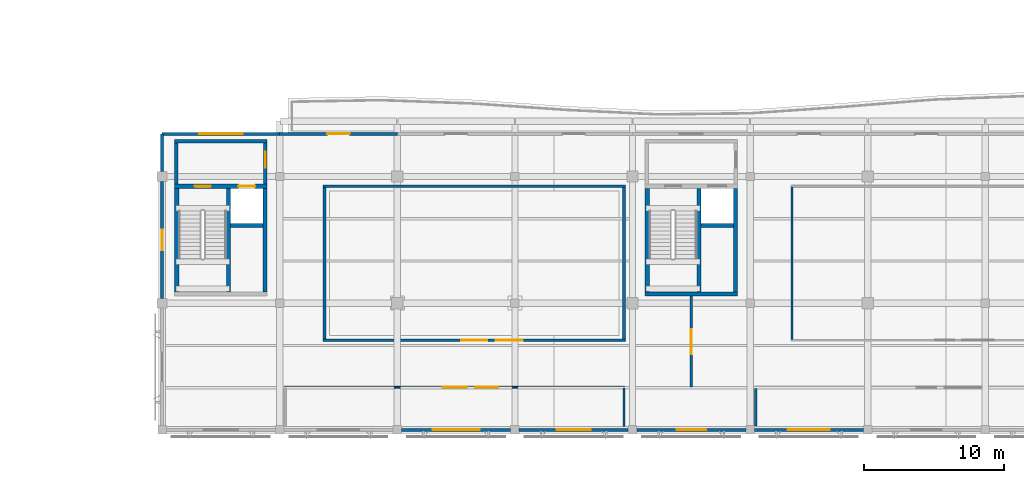
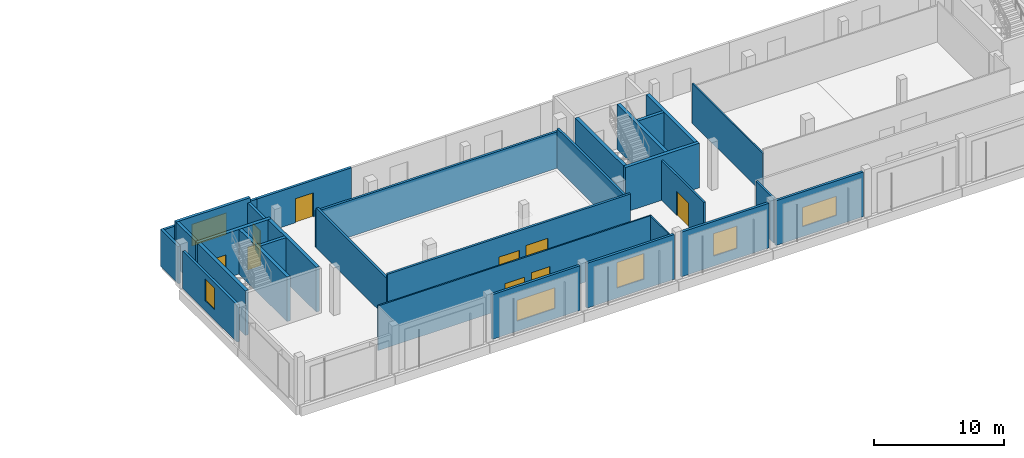
# One storey, part 15 of 28: 30 walls, 8 windows, 7 doors, 15 openings.
"""IFC4 building model written with IfcOpenShell, lengths in metres."""

from ifc_helpers import new_model, si_unit, direction, frame, frame_2d, origin, place, context, subcontext, project, spatial, rectangle, extrude, material, layer, layer_set, type_object, element, fill, save


model = new_model("IFC4")

# Units and contexts
model_context = context("Model", 3, precision=1e-05, world=origin(), true_north=direction((0.0, 1.0)))
body_context = subcontext(model_context, "Body", "Model", "MODEL_VIEW")
ifc_project = project(units=[si_unit("LENGTHUNIT", "METRE"), si_unit("AREAUNIT", "SQUARE_METRE"), si_unit("VOLUMEUNIT", "CUBIC_METRE"), si_unit("PLANEANGLEUNIT", "RADIAN"), si_unit("MASSUNIT", "GRAM", prefix="KILO")], contexts=[model_context])

# Site, building, storey
site_placement = place(None, origin())
site = spatial("IfcSite", under=ifc_project, at=site_placement, CompositionType="ELEMENT")
building_placement = place(site_placement, origin())
building = spatial("IfcBuilding", under=site, at=building_placement, Name="Khurvash Pelagic Aquarium", CompositionType="ELEMENT")
storey_placement = place(building_placement, frame((0.0, 0.0, 20.10009765625)))
storey = spatial("IfcBuildingStorey", under=building, at=storey_placement, Name="L04", CompositionType="ELEMENT", Elevation=20.10009765625)

# Wall, opening, window
ifc_material_1 = material(Name="Glass-fibre reinforced concrete C40/50", Category="concrete")
ifc_layer_1 = layer(ifc_material_1, 0.219970703125)
ifc_layer_set_1 = layer_set([ifc_layer_1], Name="Glass-fibre reinforced concrete C40/50")
wall_type_1 = type_object("IfcWallType", Name="EW-220", PredefinedType="STANDARD", material=ifc_layer_set_1)
wall_1_placement = place(storey_placement, frame((42.304931640625, 2.60009765625, 0.0), z_axis=(0.0, 0.0, 1.0), x_axis=(1.0, 0.0, 0.0)))
wall_1 = element("IfcWall", 1, at=wall_1_placement, inside=storey, type_object=wall_type_1, Name="L04 Exterior Architectural Facade Wall EW-220 0165", PredefinedType="STANDARD", context=body_context, shape_type="SweptSolid", body=[
    extrude(rectangle(XDim=7.7900390625, YDim=0.219970703125, at=frame_2d((3.89501953125, 0.0))), origin(), (0.0, 0.0, 1.0), 4.199951171875),
])
opening_1_placement = place(wall_1_placement, frame((2.215087890625, 0.0, 0.949951171875)))
opening_1 = element("IfcOpeningElement", 2, at=opening_1_placement, cuts=wall_1, Name="Opening WN-42", PredefinedType="OPENING", context=body_context, shape_type="SweptSolid", body=[
    extrude(rectangle(XDim=3.360107421875, YDim=1.9599609375, at=frame_2d((1.68017578125, 0.97998046875))), frame((0.0, 0.1201171875, 0.0), z_axis=(0.0, -1.0, 0.0), x_axis=(1.0, 0.0, 0.0)), (0.0, 0.0, 1.0), 0.239990234375),
])
ifc_material_2 = material(Name="Thermally broken aluminium and low-E glass", Category="aluminium")
window_type_1 = type_object("IfcWindowType", Name="WN-42", PartitioningType="SINGLE_PANEL", PredefinedType="WINDOW", material=ifc_material_2)
window_1_placement = place(opening_1_placement, origin())
window_1 = element("IfcWindow", 3, at=window_1_placement, inside=storey, type_object=window_type_1, Name="L04 Facade Window WN-42 0110", OverallHeight=1.9599609375, OverallWidth=3.360107421875, PartitioningType="SINGLE_PANEL", PredefinedType="WINDOW", context=body_context, shape_type="SweptSolid", body=[
    extrude(rectangle(XDim=3.360107421875, YDim=1.9599609375, at=frame_2d((1.68017578125, 0.97998046875))), frame((0.0, 0.030029296875, 0.0), z_axis=(0.0, -1.0, 0.0), x_axis=(1.0, 0.0, 0.0)), (0.0, 0.0, 1.0), 0.06005859375),
])
fill(opening_1, window_1)

wall_2_placement = place(storey_placement, frame((50.705078125, 2.60009765625, 0.0), z_axis=(0.0, 0.0, 1.0), x_axis=(1.0, 0.0, 0.0)))
wall_2 = element("IfcWall", 4, at=wall_2_placement, inside=storey, type_object=wall_type_1, Name="L04 Exterior Architectural Facade Wall EW-220 0166", PredefinedType="STANDARD", context=body_context, shape_type="SweptSolid", body=[
    extrude(rectangle(XDim=7.7900390625, YDim=0.219970703125, at=frame_2d((3.89501953125, 0.0))), origin(), (0.0, 0.0, 1.0), 4.199951171875),
])
opening_2_placement = place(wall_2_placement, frame((2.695068359375, 0.0, 0.949951171875)))
opening_2 = element("IfcOpeningElement", 5, at=opening_2_placement, cuts=wall_2, Name="Opening WN-02", PredefinedType="OPENING", context=body_context, shape_type="SweptSolid", body=[
    extrude(rectangle(XDim=2.39990234375, YDim=2.39990234375, at=frame_2d((1.199951171875, 1.199951171875))), frame((0.0, 0.1201171875, 0.0), z_axis=(0.0, -1.0, 0.0), x_axis=(1.0, 0.0, 0.0)), (0.0, 0.0, 1.0), 0.239990234375),
])
window_type_2 = type_object("IfcWindowType", Name="WN-02", PartitioningType="SINGLE_PANEL", PredefinedType="WINDOW", material=ifc_material_2)
window_2_placement = place(opening_2_placement, origin())
window_2 = element("IfcWindow", 6, at=window_2_placement, inside=storey, type_object=window_type_2, Name="L04 Facade Window WN-02 0111", OverallHeight=2.39990234375, OverallWidth=2.39990234375, PartitioningType="SINGLE_PANEL", PredefinedType="WINDOW", context=body_context, shape_type="SweptSolid", body=[
    extrude(rectangle(XDim=2.39990234375, YDim=2.39990234375, at=frame_2d((1.199951171875, 1.199951171875))), frame((0.0, 0.030029296875, 0.0), z_axis=(0.0, -1.0, 0.0), x_axis=(1.0, 0.0, 0.0)), (0.0, 0.0, 1.0), 0.06005859375),
])
fill(opening_2, window_2)

wall_3_placement = place(storey_placement, frame((59.10498046875, 2.60009765625, 0.0), z_axis=(0.0, 0.0, 1.0), x_axis=(1.0, 0.0, 0.0)))
wall_3 = element("IfcWall", 7, at=wall_3_placement, inside=storey, type_object=wall_type_1, Name="L04 Exterior Architectural Facade Wall EW-220 0167", PredefinedType="STANDARD", context=body_context, shape_type="SweptSolid", body=[
    extrude(rectangle(XDim=7.7900390625, YDim=0.219970703125, at=frame_2d((3.89501953125, 0.0))), origin(), (0.0, 0.0, 1.0), 4.199951171875),
])
opening_3_placement = place(wall_3_placement, frame((2.844970703125, 0.0, 0.949951171875)))
opening_3 = element("IfcOpeningElement", 8, at=opening_3_placement, cuts=wall_3, Name="Opening WN-04", PredefinedType="OPENING", context=body_context, shape_type="SweptSolid", body=[
    extrude(rectangle(XDim=2.10009765625, YDim=2.10009765625, at=frame_2d((1.050048828125, 1.050048828125))), frame((0.0, 0.1201171875, 0.0), z_axis=(0.0, -1.0, 0.0), x_axis=(1.0, 0.0, 0.0)), (0.0, 0.0, 1.0), 0.239990234375),
])
window_type_3 = type_object("IfcWindowType", Name="WN-04", PartitioningType="SINGLE_PANEL", PredefinedType="WINDOW", material=ifc_material_2)
window_3_placement = place(opening_3_placement, origin())
window_3 = element("IfcWindow", 9, at=window_3_placement, inside=storey, type_object=window_type_3, Name="L04 Facade Window WN-04 0112", OverallHeight=2.10009765625, OverallWidth=2.10009765625, PartitioningType="SINGLE_PANEL", PredefinedType="WINDOW", context=body_context, shape_type="SweptSolid", body=[
    extrude(rectangle(XDim=2.10009765625, YDim=2.10009765625, at=frame_2d((1.050048828125, 1.050048828125))), frame((0.0, 0.030029296875, 0.0), z_axis=(0.0, -1.0, 0.0), x_axis=(1.0, 0.0, 0.0)), (0.0, 0.0, 1.0), 0.06005859375),
])
fill(opening_3, window_3)

wall_4_placement = place(storey_placement, frame((67.5048828125, 2.60009765625, 0.0), z_axis=(0.0, 0.0, 1.0), x_axis=(1.0, 0.0, 0.0)))
wall_4 = element("IfcWall", 10, at=wall_4_placement, inside=storey, type_object=wall_type_1, Name="L04 Exterior Architectural Facade Wall EW-220 0168", PredefinedType="STANDARD", context=body_context, shape_type="SweptSolid", body=[
    extrude(rectangle(XDim=7.7900390625, YDim=0.219970703125, at=frame_2d((3.89501953125, 0.0))), origin(), (0.0, 0.0, 1.0), 4.199951171875),
])
opening_4_placement = place(wall_4_placement, frame((2.39501953125, 0.0, 0.949951171875)))
opening_4 = element("IfcOpeningElement", 11, at=opening_4_placement, cuts=wall_4, Name="Opening WN-06", PredefinedType="OPENING", context=body_context, shape_type="SweptSolid", body=[
    extrude(rectangle(XDim=3.0, YDim=1.800048828125, at=frame_2d((1.5, 0.89990234375))), frame((0.0, 0.1201171875, 0.0), z_axis=(0.0, -1.0, 0.0), x_axis=(1.0, 0.0, 0.0)), (0.0, 0.0, 1.0), 0.239990234375),
])
window_type_4 = type_object("IfcWindowType", Name="WN-06", PartitioningType="SINGLE_PANEL", PredefinedType="WINDOW", material=ifc_material_2)
window_4_placement = place(opening_4_placement, origin())
window_4 = element("IfcWindow", 12, at=window_4_placement, inside=storey, type_object=window_type_4, Name="L04 Facade Window WN-06 0113", OverallHeight=1.800048828125, OverallWidth=3.0, PartitioningType="SINGLE_PANEL", PredefinedType="WINDOW", context=body_context, shape_type="SweptSolid", body=[
    extrude(rectangle(XDim=3.0, YDim=1.800048828125, at=frame_2d((1.5, 0.89990234375))), frame((0.0, 0.030029296875, 0.0), z_axis=(0.0, -1.0, 0.0), x_axis=(1.0, 0.0, 0.0)), (0.0, 0.0, 1.0), 0.06005859375),
])
fill(opening_4, window_4)

# Wall, opening, door
wall_5_placement = place(storey_placement, frame((42.0, 23.75, 0.0), z_axis=(0.0, 0.0, 1.0), x_axis=(-1.0, 0.0, 0.0)))
wall_5 = element("IfcWall", 13, at=wall_5_placement, inside=storey, type_object=wall_type_1, Name="L04 Exterior Architectural Facade Wall EW-220 0184", PredefinedType="STANDARD", context=body_context, shape_type="SweptSolid", body=[
    extrude(rectangle(XDim=8.39990234375, YDim=0.219970703125, at=frame_2d((4.199951171875, 0.0))), origin(), (0.0, 0.0, 1.0), 3.427978515625),
])
opening_5_placement = place(wall_5_placement, frame((3.39990234375, 0.0, 0.0)))
opening_5 = element("IfcOpeningElement", 14, at=opening_5_placement, cuts=wall_5, Name="Opening ED-03", PredefinedType="OPENING", context=body_context, shape_type="SweptSolid", body=[
    extrude(rectangle(XDim=1.60009765625, YDim=2.25, at=frame_2d((0.800048828125, 1.125))), frame((0.0, 0.1201171875, 0.0), z_axis=(0.0, -1.0, 0.0), x_axis=(1.0, 0.0, 0.0)), (0.0, 0.0, 1.0), 0.239990234375),
])
ifc_material_3 = material(Name="Thermally broken glazed aluminium", Category="aluminium")
door_type_1 = type_object("IfcDoorType", Name="ED-03", OperationType="DOUBLE_DOOR_SINGLE_SWING", PredefinedType="DOOR", material=ifc_material_3)
door_1_placement = place(opening_5_placement, frame((1.60009765625, 0.0, 0.0), z_axis=(0.0, 0.0, 1.0), x_axis=(-1.0, 0.0, 0.0)))
door_1 = element("IfcDoor", 15, at=door_1_placement, inside=storey, type_object=door_type_1, Name="DR-0226", OperationType="DOUBLE_DOOR_SINGLE_SWING", OverallHeight=2.25, OverallWidth=1.60009765625, PredefinedType="DOOR", context=body_context, shape_type="SweptSolid", body=[
    extrude(rectangle(XDim=1.60009765625, YDim=2.25, at=frame_2d((0.800048828125, 1.125))), frame((0.0, 0.02490234375, 0.0), z_axis=(0.0, -1.0, 0.0), x_axis=(1.0, 0.0, 0.0)), (0.0, 0.0, 1.0), 0.050048828125),
])
fill(opening_5, door_1)

# Wall, opening, window
wall_6_placement = place(storey_placement, frame((33.60009765625, 23.75, 0.0), z_axis=(0.0, 0.0, 1.0), x_axis=(-1.0, 0.0, 0.0)))
wall_6 = element("IfcWall", 16, at=wall_6_placement, inside=storey, type_object=wall_type_1, Name="L04 Exterior Architectural Facade Wall EW-220 0185", PredefinedType="STANDARD", context=body_context, shape_type="SweptSolid", body=[
    extrude(rectangle(XDim=8.400146484375, YDim=0.219970703125, at=frame_2d((4.2001953125, 0.0))), origin(), (0.0, 0.0, 1.0), 3.427978515625),
])
opening_6_placement = place(wall_6_placement, frame((2.64990234375, 0.0, 0.949951171875)))
opening_6 = element("IfcOpeningElement", 17, at=opening_6_placement, cuts=wall_6, Name="Opening WN-27", PredefinedType="OPENING", context=body_context, shape_type="SweptSolid", body=[
    extrude(rectangle(XDim=3.10009765625, YDim=2.050048828125, at=frame_2d((1.550048828125, 1.02490234375))), frame((0.0, 0.1201171875, 0.0), z_axis=(0.0, -1.0, 0.0), x_axis=(1.0, 0.0, 0.0)), (0.0, 0.0, 1.0), 0.239990234375),
])
window_type_5 = type_object("IfcWindowType", Name="WN-27", PartitioningType="SINGLE_PANEL", PredefinedType="WINDOW", material=ifc_material_2)
window_5_placement = place(opening_6_placement, origin())
window_5 = element("IfcWindow", 18, at=window_5_placement, inside=storey, type_object=window_type_5, Name="L04 Facade Window WN-27 0122", OverallHeight=2.050048828125, OverallWidth=3.10009765625, PartitioningType="SINGLE_PANEL", PredefinedType="WINDOW", context=body_context, shape_type="SweptSolid", body=[
    extrude(rectangle(XDim=3.10009765625, YDim=2.050048828125, at=frame_2d((1.550048828125, 1.02490234375))), frame((0.0, 0.030029296875, 0.0), z_axis=(0.0, -1.0, 0.0), x_axis=(1.0, 0.0, 0.0)), (0.0, 0.0, 1.0), 0.06005859375),
])
fill(opening_6, window_5)

# Wall
wall_7_placement = place(storey_placement, frame((25.199951171875, 23.75, 0.0), z_axis=(0.0, 0.0, 1.0), x_axis=(0.0, -1.0, 0.0)))
element("IfcWall", 19, at=wall_7_placement, inside=storey, type_object=wall_type_1, Name="L04 Exterior Architectural Facade Wall EW-220 0186", PredefinedType="STANDARD", context=body_context, shape_type="SweptSolid", body=[
    extrude(rectangle(XDim=2.695068359375, YDim=0.219970703125, at=frame_2d((1.34765625, 0.0))), origin(), (0.0, 0.0, 1.0), 3.50390625),
])

# Wall, opening, window
wall_8_placement = place(storey_placement, frame((25.199951171875, 20.344970703125, 0.0), z_axis=(0.0, 0.0, 1.0), x_axis=(0.0, -1.0, 0.0)))
wall_8 = element("IfcWall", 20, at=wall_8_placement, inside=storey, type_object=wall_type_1, Name="L04 Exterior Architectural Facade Wall EW-220 0187", PredefinedType="STANDARD", context=body_context, shape_type="SweptSolid", body=[
    extrude(rectangle(XDim=8.340087890625, YDim=0.219970703125, at=frame_2d((4.169921875, 0.0))), origin(), (0.0, 0.0, 1.0), 3.50390625),
])
opening_7_placement = place(wall_8_placement, frame((3.445068359375, 0.0, 0.949951171875)))
opening_7 = element("IfcOpeningElement", 21, at=opening_7_placement, cuts=wall_8, Name="Opening WN-21", PredefinedType="OPENING", context=body_context, shape_type="SweptSolid", body=[
    extrude(rectangle(XDim=1.449951171875, YDim=2.050048828125, at=frame_2d((0.72509765625, 1.02490234375))), frame((0.0, 0.1201171875, 0.0), z_axis=(0.0, -1.0, 0.0), x_axis=(1.0, 0.0, 0.0)), (0.0, 0.0, 1.0), 0.239990234375),
])
window_type_6 = type_object("IfcWindowType", Name="WN-21", PartitioningType="SINGLE_PANEL", PredefinedType="WINDOW", material=ifc_material_2)
window_6_placement = place(opening_7_placement, origin())
window_6 = element("IfcWindow", 22, at=window_6_placement, inside=storey, type_object=window_type_6, Name="L04 Facade Window WN-21 0123", OverallHeight=2.050048828125, OverallWidth=1.449951171875, PartitioningType="SINGLE_PANEL", PredefinedType="WINDOW", context=body_context, shape_type="SweptSolid", body=[
    extrude(rectangle(XDim=1.449951171875, YDim=2.050048828125, at=frame_2d((0.72509765625, 1.02490234375))), frame((0.0, 0.030029296875, 0.0), z_axis=(0.0, -1.0, 0.0), x_axis=(1.0, 0.0, 0.0)), (0.0, 0.0, 1.0), 0.06005859375),
])
fill(opening_7, window_6)

# Wall, openings, door, window
ifc_material_4 = material(Name="Moisture-resistant gypsum and steel stud", Category="steel")
ifc_layer_2 = layer(ifc_material_4, 0.125)
ifc_layer_set_2 = layer_set([ifc_layer_2], Name="Moisture-resistant gypsum and steel stud")
wall_type_2 = type_object("IfcWallType", Name="PW-125", PredefinedType="PARTITIONING", material=ifc_layer_set_2)
wall_9_placement = place(storey_placement, frame((33.93798828125, 5.64990234375, 0.0), z_axis=(0.0, 0.0, 1.0), x_axis=(1.0, 0.0, 0.0)))
wall_9 = element("IfcWall", 23, at=wall_9_placement, inside=storey, type_object=wall_type_2, Name="L04 Sindh Delta Mudflat and Tidal Pool Gallery Partition Wall PW-125", PredefinedType="PARTITIONING", context=body_context, shape_type="SweptSolid", body=[
    extrude(rectangle(XDim=24.324951171875, YDim=0.125, at=frame_2d((12.16259765625, 0.0))), origin(), (0.0, 0.0, 1.0), 4.199951171875),
])
opening_8_placement = place(wall_9_placement, frame((11.302978515625, 0.0, 0.0)))
opening_8 = element("IfcOpeningElement", 24, at=opening_8_placement, cuts=wall_9, Name="Opening ID-17", PredefinedType="OPENING", context=body_context, shape_type="SweptSolid", body=[
    extrude(rectangle(XDim=1.719970703125, YDim=2.35009765625, at=frame_2d((0.85986328125, 1.175048828125))), frame((0.0, 0.072509765625, 0.0), z_axis=(0.0, -1.0, 0.0), x_axis=(1.0, 0.0, 0.0)), (0.0, 0.0, 1.0), 0.14501953125),
])
opening_9_placement = place(wall_9_placement, frame((13.623046875, 0.0, 1.0498046875)))
opening_9 = element("IfcOpeningElement", 25, at=opening_9_placement, cuts=wall_9, Name="Opening IW-07", PredefinedType="OPENING", context=body_context, shape_type="SweptSolid", body=[
    extrude(rectangle(XDim=1.64990234375, YDim=1.5, at=frame_2d((0.824951171875, 0.75))), frame((0.0, 0.072509765625, 0.0), z_axis=(0.0, -1.0, 0.0), x_axis=(1.0, 0.0, 0.0)), (0.0, 0.0, 1.0), 0.14501953125),
])
ifc_material_5 = material(Name="Exhibit gallery portal double door", Category="wood")
door_type_2 = type_object("IfcDoorType", Name="ID-17", OperationType="DOUBLE_DOOR_SINGLE_SWING", PredefinedType="DOOR", material=ifc_material_5)
door_2_placement = place(opening_8_placement, frame((1.719970703125, 0.0, 0.0), z_axis=(0.0, 0.0, 1.0), x_axis=(-1.0, 0.0, 0.0)))
door_2 = element("IfcDoor", 26, at=door_2_placement, inside=storey, type_object=door_type_2, Name="DR-0233", OperationType="DOUBLE_DOOR_SINGLE_SWING", OverallHeight=2.35009765625, OverallWidth=1.719970703125, PredefinedType="DOOR", context=body_context, shape_type="SweptSolid", body=[
    extrude(rectangle(XDim=1.719970703125, YDim=2.35009765625, at=frame_2d((0.85986328125, 1.175048828125))), frame((0.0, 0.02490234375, 0.0), z_axis=(0.0, -1.0, 0.0), x_axis=(1.0, 0.0, 0.0)), (0.0, 0.0, 1.0), 0.050048828125),
])
fill(opening_8, door_2)
ifc_material_6 = material(Name="Acoustic laminated interior observation glazing", Category="glass")
window_type_7 = type_object("IfcWindowType", Name="IW-07", PartitioningType="SINGLE_PANEL", PredefinedType="WINDOW", material=ifc_material_6)
window_7_placement = place(opening_9_placement, origin())
window_7 = element("IfcWindow", 27, at=window_7_placement, inside=storey, type_object=window_type_7, Name="L04 Sindh Delta Mudflat and Tidal Pool Gallery Observation Window IW-07", OverallHeight=1.5, OverallWidth=1.64990234375, PartitioningType="SINGLE_PANEL", PredefinedType="WINDOW", context=body_context, shape_type="SweptSolid", body=[
    extrude(rectangle(XDim=1.64990234375, YDim=1.5, at=frame_2d((0.824951171875, 0.75))), frame((0.0, 0.030029296875, 0.0), z_axis=(0.0, -1.0, 0.0), x_axis=(1.0, 0.0, 0.0)), (0.0, 0.0, 1.0), 0.06005859375),
])
fill(opening_9, window_7)

# Walls
wall_10_placement = place(storey_placement, frame((58.199951171875, 2.862060546875, 0.0), z_axis=(0.0, 0.0, 1.0), x_axis=(0.0, 1.0, 0.0)))
element("IfcWall", 28, at=wall_10_placement, inside=storey, type_object=wall_type_2, Name="L04 Sindh Delta Mudflat and Tidal Pool Gallery Partition Wall PW-125", PredefinedType="PARTITIONING", context=body_context, shape_type="SweptSolid", body=[
    extrude(rectangle(XDim=2.725830078125, YDim=0.125, at=frame_2d((1.36279296875, 0.0))), origin(), (0.0, 0.0, 1.0), 4.199951171875),
])
wall_11_placement = place(storey_placement, frame((70.199951171875, 9.06201171875, 0.0), z_axis=(0.0, 0.0, 1.0), x_axis=(0.0, 1.0, 0.0)))
element("IfcWall", 29, at=wall_11_placement, inside=storey, type_object=wall_type_2, Name="L04 Exhibit Design and Curatorial Studio Partition Wall PW-125", PredefinedType="PARTITIONING", context=body_context, shape_type="SweptSolid", body=[
    extrude(rectangle(XDim=10.8759765625, YDim=0.125, at=frame_2d((5.43798828125, 0.0))), origin(), (0.0, 0.0, 1.0), 3.75),
])

# Wall, opening, door
ifc_material_7 = material(Name="AAC blockwork", Category="masonry")
ifc_layer_3 = layer(ifc_material_7, 0.169921875)
ifc_layer_set_3 = layer_set([ifc_layer_3], Name="AAC blockwork")
wall_type_3 = type_object("IfcWallType", Name="PW-170", PredefinedType="PARTITIONING", material=ifc_layer_set_3)
wall_12_placement = place(storey_placement, frame((63.0, 5.64990234375, 0.0), z_axis=(0.0, 0.0, 1.0), x_axis=(0.0, 1.0, 0.0)))
wall_12 = element("IfcWall", 30, at=wall_12_placement, inside=storey, type_object=wall_type_3, Name="L04 Wetlands Spine Compartment Partition Wall PW-170", PredefinedType="PARTITIONING", context=body_context, shape_type="SweptSolid", body=[
    extrude(rectangle(XDim=6.5, YDim=0.169921875, at=frame_2d((3.25, 0.0))), origin(), (0.0, 0.0, 1.0), 3.75),
])
opening_10_placement = place(wall_12_placement, frame((2.35009765625, 0.0, 0.0)))
opening_10 = element("IfcOpeningElement", 31, at=opening_10_placement, cuts=wall_12, Name="Opening FD-02", PredefinedType="OPENING", context=body_context, shape_type="SweptSolid", body=[
    extrude(rectangle(XDim=1.800048828125, YDim=2.25, at=frame_2d((0.89990234375, 1.125))), frame((0.0, 0.094970703125, 0.0), z_axis=(0.0, -1.0, 0.0), x_axis=(1.0, 0.0, 0.0)), (0.0, 0.0, 1.0), 0.18994140625),
])
ifc_material_8 = material(Name="Galvanised steel double fire door", Category="steel")
door_type_3 = type_object("IfcDoorType", Name="FD-02", OperationType="DOUBLE_DOOR_SINGLE_SWING", PredefinedType="DOOR", material=ifc_material_8)
door_3_placement = place(opening_10_placement, frame((1.800048828125, 0.0, 0.0), z_axis=(0.0, 0.0, 1.0), x_axis=(-1.0, 0.0, 0.0)))
door_3 = element("IfcDoor", 32, at=door_3_placement, inside=storey, type_object=door_type_3, Name="DR-0229", OperationType="DOUBLE_DOOR_SINGLE_SWING", OverallHeight=2.25, OverallWidth=1.800048828125, PredefinedType="DOOR", context=body_context, shape_type="SweptSolid", body=[
    extrude(rectangle(XDim=1.800048828125, YDim=2.25, at=frame_2d((0.89990234375, 1.125))), frame((0.0, 0.02490234375, 0.0), z_axis=(0.0, -1.0, 0.0), x_axis=(1.0, 0.0, 0.0)), (0.0, 0.0, 1.0), 0.050048828125),
])
fill(opening_10, door_3)

# Wall
wall_13_placement = place(storey_placement, frame((67.60009765625, 2.885009765625, 0.0), z_axis=(0.0, 0.0, 1.0), x_axis=(0.0, 1.0, 0.0)))
element("IfcWall", 33, at=wall_13_placement, inside=storey, type_object=wall_type_3, Name="L04 Aquarium Directorate Administration Partition Wall PW-170", PredefinedType="PARTITIONING", context=body_context, shape_type="SweptSolid", body=[
    extrude(rectangle(XDim=2.679931640625, YDim=0.169921875, at=frame_2d((1.33984375, 0.0))), origin(), (0.0, 0.0, 1.0), 4.199951171875),
])

# Wall, openings, door, window
ifc_layer_4 = layer(ifc_material_7, 0.199951171875)
ifc_layer_set_4 = layer_set([ifc_layer_4], Name="AAC blockwork")
wall_type_4 = type_object("IfcWallType", Name="PW-200", PredefinedType="PARTITIONING", material=ifc_layer_set_4)
wall_14_placement = place(storey_placement, frame((36.699951171875, 9.0, 0.0), z_axis=(0.0, 0.0, 1.0), x_axis=(1.0, 0.0, 0.0)))
wall_14 = element("IfcWall", 34, at=wall_14_placement, inside=storey, type_object=wall_type_4, Name="L04 Sea Turtle Nesting Conservation Gallery Partition Wall PW-200", PredefinedType="PARTITIONING", context=body_context, shape_type="SweptSolid", body=[
    extrude(rectangle(XDim=21.60009765625, YDim=0.199951171875, at=frame_2d((10.800048828125, 0.0))), origin(), (0.0, 0.0, 1.0), 4.199951171875),
])
opening_11_placement = place(wall_14_placement, frame((9.8798828125, 0.0, 0.0)))
opening_11 = element("IfcOpeningElement", 35, at=opening_11_placement, cuts=wall_14, Name="Opening ID-18", PredefinedType="OPENING", context=body_context, shape_type="SweptSolid", body=[
    extrude(rectangle(XDim=1.840087890625, YDim=2.35009765625, at=frame_2d((0.919921875, 1.175048828125))), frame((0.0, 0.10986328125, 0.0), z_axis=(0.0, -1.0, 0.0), x_axis=(1.0, 0.0, 0.0)), (0.0, 0.0, 1.0), 0.219970703125),
])
opening_12_placement = place(wall_14_placement, frame((12.320068359375, 0.0, 1.0498046875)))
opening_12 = element("IfcOpeningElement", 36, at=opening_12_placement, cuts=wall_14, Name="Opening IW-08", PredefinedType="OPENING", context=body_context, shape_type="SweptSolid", body=[
    extrude(rectangle(XDim=1.949951171875, YDim=1.550048828125, at=frame_2d((0.97509765625, 0.77490234375))), frame((0.0, 0.10986328125, 0.0), z_axis=(0.0, -1.0, 0.0), x_axis=(1.0, 0.0, 0.0)), (0.0, 0.0, 1.0), 0.219970703125),
])
ifc_material_9 = material(Name="Pelagic hall double door", Category="wood")
door_type_4 = type_object("IfcDoorType", Name="ID-18", OperationType="DOUBLE_DOOR_SINGLE_SWING", PredefinedType="DOOR", material=ifc_material_9)
door_4_placement = place(opening_11_placement, origin())
door_4 = element("IfcDoor", 37, at=door_4_placement, inside=storey, type_object=door_type_4, Name="DR-0234", OperationType="DOUBLE_DOOR_SINGLE_SWING", OverallHeight=2.35009765625, OverallWidth=1.840087890625, PredefinedType="DOOR", context=body_context, shape_type="SweptSolid", body=[
    extrude(rectangle(XDim=1.840087890625, YDim=2.35009765625, at=frame_2d((0.919921875, 1.175048828125))), frame((0.0, 0.02490234375, 0.0), z_axis=(0.0, -1.0, 0.0), x_axis=(1.0, 0.0, 0.0)), (0.0, 0.0, 1.0), 0.050048828125),
])
fill(opening_11, door_4)
window_type_8 = type_object("IfcWindowType", Name="IW-08", PartitioningType="SINGLE_PANEL", PredefinedType="WINDOW", material=ifc_material_6)
window_8_placement = place(opening_12_placement, origin())
window_8 = element("IfcWindow", 38, at=window_8_placement, inside=storey, type_object=window_type_8, Name="L04 Sea Turtle Nesting Conservation Gallery Observation Window IW-08", OverallHeight=1.550048828125, OverallWidth=1.949951171875, PartitioningType="SINGLE_PANEL", PredefinedType="WINDOW", context=body_context, shape_type="SweptSolid", body=[
    extrude(rectangle(XDim=1.949951171875, YDim=1.550048828125, at=frame_2d((0.97509765625, 0.77490234375))), frame((0.0, 0.030029296875, 0.0), z_axis=(0.0, -1.0, 0.0), x_axis=(1.0, 0.0, 0.0)), (0.0, 0.0, 1.0), 0.06005859375),
])
fill(opening_12, window_8)

# Walls
wall_15_placement = place(storey_placement, frame((36.699951171875, 20.0, 0.0), z_axis=(0.0, 0.0, 1.0), x_axis=(1.0, 0.0, 0.0)))
element("IfcWall", 39, at=wall_15_placement, inside=storey, type_object=wall_type_4, Name="L04 Sea Turtle Nesting Conservation Gallery Partition Wall PW-200", PredefinedType="PARTITIONING", context=body_context, shape_type="SweptSolid", body=[
    extrude(rectangle(XDim=21.60009765625, YDim=0.199951171875, at=frame_2d((10.800048828125, 0.0))), origin(), (0.0, 0.0, 1.0), 3.427978515625),
])
for number, where, z_axis, x_axis, name in (
    (40, (58.199951171875, 9.10009765625, 0.0), (0.0, 0.0, 1.0), (0.0, 1.0, 0.0), "L04 Sea Turtle Nesting Conservation Gallery Partition Wall PW-200"),
    (41, (36.800048828125, 9.10009765625, 0.0), (0.0, 0.0, 1.0), (0.0, 1.0, 0.0), "L04 Sea Turtle Nesting Conservation Gallery Partition Wall PW-200"),
):
    element("IfcWall", number, at=place(storey_placement, frame(where, z_axis=z_axis, x_axis=x_axis)), inside=storey, type_object=wall_type_4, Name=name, PredefinedType="PARTITIONING", context=body_context, shape_type="SweptSolid", body=[
        extrude(rectangle(XDim=10.7998046875, YDim=0.199951171875, at=frame_2d((5.39990234375, 0.0))), origin(), (0.0, 0.0, 1.0), 3.75),
    ])
ifc_layer_5 = layer(ifc_material_7, 0.25)
ifc_layer_set_5 = layer_set([ifc_layer_5], Name="AAC blockwork")
wall_type_5 = type_object("IfcWallType", Name="PW-250", PredefinedType="PARTITIONING", material=ifc_layer_set_5)
wall_16_placement = place(storey_placement, frame((26.10009765625, 23.22509765625, 0.0), z_axis=(0.0, 0.0, 1.0), x_axis=(1.0, 0.0, 0.0)))
element("IfcWall", 42, at=wall_16_placement, inside=storey, type_object=wall_type_5, Name="L04 Core C1 Lobby Front Fire Wall PW-250", PredefinedType="PARTITIONING", context=body_context, shape_type="SweptSolid", body=[
    extrude(rectangle(XDim=6.599853515625, YDim=0.25, at=frame_2d((3.2998046875, 0.0))), origin(), (0.0, 0.0, 1.0), 4.199951171875),
])
wall_17_placement = place(storey_placement, frame((26.22509765625, 20.14990234375, 0.0), z_axis=(0.0, 0.0, 1.0), x_axis=(0.0, 1.0, 0.0)))
element("IfcWall", 43, at=wall_17_placement, inside=storey, type_object=wall_type_5, Name="L04 Core C1 Lobby West Fire Wall PW-250", PredefinedType="PARTITIONING", context=body_context, shape_type="SweptSolid", body=[
    extrude(rectangle(XDim=2.9501953125, YDim=0.25, at=frame_2d((1.47509765625, 0.0))), origin(), (0.0, 0.0, 1.0), 4.199951171875),
])

# Wall, opening, door
wall_18_placement = place(storey_placement, frame((32.574951171875, 20.14990234375, 0.0), z_axis=(0.0, 0.0, 1.0), x_axis=(0.0, 1.0, 0.0)))
wall_18 = element("IfcWall", 44, at=wall_18_placement, inside=storey, type_object=wall_type_5, Name="L04 Core C1 Lobby East Fire Wall PW-250", PredefinedType="PARTITIONING", context=body_context, shape_type="SweptSolid", body=[
    extrude(rectangle(XDim=2.9501953125, YDim=0.25, at=frame_2d((1.47509765625, 0.0))), origin(), (0.0, 0.0, 1.0), 3.782958984375),
])
opening_13_placement = place(wall_18_placement, frame((1.179931640625, 0.0, 0.0)))
opening_13 = element("IfcOpeningElement", 45, at=opening_13_placement, cuts=wall_18, Name="Opening FD-01", PredefinedType="OPENING", context=body_context, shape_type="SweptSolid", body=[
    extrude(rectangle(XDim=1.14990234375, YDim=2.199951171875, at=frame_2d((0.574951171875, 1.10009765625))), frame((0.0, 0.135009765625, 0.0), z_axis=(0.0, -1.0, 0.0), x_axis=(1.0, 0.0, 0.0)), (0.0, 0.0, 1.0), 0.27001953125),
])
ifc_material_10 = material(Name="Galvanised steel fire door", Category="steel")
door_type_5 = type_object("IfcDoorType", Name="FD-01", OperationType="NOTDEFINED", PredefinedType="DOOR", material=ifc_material_10)
door_5_placement = place(opening_13_placement, frame((1.14990234375, 0.0, 0.0), z_axis=(0.0, 0.0, 1.0), x_axis=(-1.0, 0.0, 0.0)))
door_5 = element("IfcDoor", 46, at=door_5_placement, inside=storey, type_object=door_type_5, Name="DR-0240", OperationType="SINGLE_SWING_LEFT", OverallHeight=2.199951171875, OverallWidth=1.14990234375, PredefinedType="DOOR", context=body_context, shape_type="SweptSolid", body=[
    extrude(rectangle(XDim=1.14990234375, YDim=2.199951171875, at=frame_2d((0.574951171875, 1.10009765625))), frame((0.0, 0.02490234375, 0.0), z_axis=(0.0, -1.0, 0.0), x_axis=(1.0, 0.0, 0.0)), (0.0, 0.0, 1.0), 0.050048828125),
])
fill(opening_13, door_5)

# Walls
ifc_material_11 = material(Name="Concrete C40/50", Category="concrete")
ifc_layer_6 = layer(ifc_material_11, 0.27490234375)
ifc_layer_set_6 = layer_set([ifc_layer_6], Name="Concrete C40/50")
wall_type_6 = type_object("IfcWallType", Name="SW-275", PredefinedType="SHEAR", material=ifc_layer_set_6)
wall_19_placement = place(storey_placement, frame((30.10009765625, 17.212890625, 0.0), z_axis=(0.0, 0.0, 1.0), x_axis=(1.0, 0.0, 0.0)))
element("IfcWall", 47, at=wall_19_placement, inside=storey, type_object=wall_type_6, Name="L04 Lift FL-01 Shaft Rear Shear Wall SW-275", PredefinedType="SHEAR", context=body_context, shape_type="SweptSolid", body=[
    extrude(rectangle(XDim=2.2998046875, YDim=0.27490234375, at=frame_2d((1.14990234375, 0.0))), origin(), (0.0, 0.0, 1.0), 4.199951171875),
])
wall_20_placement = place(storey_placement, frame((63.699951171875, 17.212890625, 0.0), z_axis=(0.0, 0.0, 1.0), x_axis=(1.0, 0.0, 0.0)))
element("IfcWall", 48, at=wall_20_placement, inside=storey, type_object=wall_type_6, Name="L04 Lift PL-01 Shaft Rear Shear Wall SW-275", PredefinedType="SHEAR", context=body_context, shape_type="SweptSolid", body=[
    extrude(rectangle(XDim=2.300048828125, YDim=0.27490234375, at=frame_2d((1.14990234375, 0.0))), origin(), (0.0, 0.0, 1.0), 4.199951171875),
])

# Wall, openings, doors
ifc_layer_7 = layer(ifc_material_11, 0.300048828125)
ifc_layer_set_7 = layer_set([ifc_layer_7], Name="Concrete C40/50")
wall_type_7 = type_object("IfcWallType", Name="SW-300", PredefinedType="SHEAR", material=ifc_layer_set_7)
wall_21_placement = place(storey_placement, frame((26.10009765625, 20.0, 0.0), z_axis=(0.0, 0.0, 1.0), x_axis=(1.0, 0.0, 0.0)))
wall_21 = element("IfcWall", 49, at=wall_21_placement, inside=storey, type_object=wall_type_7, Name="L04 Core C1 North Shear Wall SW-300", PredefinedType="SHEAR", context=body_context, shape_type="SweptSolid", body=[
    extrude(rectangle(XDim=6.599853515625, YDim=0.300048828125, at=frame_2d((3.2998046875, 0.0))), origin(), (0.0, 0.0, 1.0), 4.199951171875),
])
opening_14_placement = place(wall_21_placement, frame((1.425048828125, 0.0, 0.0)))
opening_14 = element("IfcOpeningElement", 50, at=opening_14_placement, cuts=wall_21, Name="Opening FD-01", PredefinedType="OPENING", context=body_context, shape_type="SweptSolid", body=[
    extrude(rectangle(XDim=1.14990234375, YDim=2.199951171875, at=frame_2d((0.574951171875, 1.10009765625))), frame((0.0, 0.16015625, 0.0), z_axis=(0.0, -1.0, 0.0), x_axis=(1.0, 0.0, 0.0)), (0.0, 0.0, 1.0), 0.320068359375),
])
opening_15_placement = place(wall_21_placement, frame((4.550048828125, 0.0, 0.0)))
opening_15 = element("IfcOpeningElement", 51, at=opening_15_placement, cuts=wall_21, Name="Opening LD-01", PredefinedType="OPENING", context=body_context, shape_type="SweptSolid", body=[
    extrude(rectangle(XDim=1.199951171875, YDim=2.14990234375, at=frame_2d((0.60009765625, 1.074951171875))), frame((0.0, 0.16015625, 0.0), z_axis=(0.0, -1.0, 0.0), x_axis=(1.0, 0.0, 0.0)), (0.0, 0.0, 1.0), 0.320068359375),
])
door_6_placement = place(opening_14_placement, frame((1.14990234375, 0.0, 0.0), z_axis=(0.0, 0.0, 1.0), x_axis=(-1.0, 0.0, 0.0)))
door_6 = element("IfcDoor", 52, at=door_6_placement, inside=storey, type_object=door_type_5, Name="DR-0213", OperationType="SINGLE_SWING_RIGHT", OverallHeight=2.199951171875, OverallWidth=1.14990234375, PredefinedType="DOOR", context=body_context, shape_type="SweptSolid", body=[
    extrude(rectangle(XDim=1.14990234375, YDim=2.199951171875, at=frame_2d((0.574951171875, 1.10009765625))), frame((0.0, 0.02490234375, 0.0), z_axis=(0.0, -1.0, 0.0), x_axis=(1.0, 0.0, 0.0)), (0.0, 0.0, 1.0), 0.050048828125),
])
fill(opening_14, door_6)
ifc_material_12 = material(Name="Brushed stainless steel 316 lift landing door", Category="steel")
door_type_6 = type_object("IfcDoorType", Name="LD-01", OperationType="DOUBLE_DOOR_SLIDING", PredefinedType="DOOR", material=ifc_material_12)
door_7_placement = place(opening_15_placement, origin())
door_7 = element("IfcDoor", 53, at=door_7_placement, inside=storey, type_object=door_type_6, Name="DR-0217", OperationType="DOUBLE_DOOR_SLIDING", OverallHeight=2.14990234375, OverallWidth=1.199951171875, PredefinedType="DOOR", context=body_context, shape_type="SweptSolid", body=[
    extrude(rectangle(XDim=1.199951171875, YDim=2.14990234375, at=frame_2d((0.60009765625, 1.074951171875))), frame((0.0, 0.02490234375, 0.0), z_axis=(0.0, -1.0, 0.0), x_axis=(1.0, 0.0, 0.0)), (0.0, 0.0, 1.0), 0.050048828125),
])
fill(opening_15, door_7)

# Walls
for number, where, z_axis, x_axis, name in (
    (54, (26.25, 12.449951171875, 0.0), (0.0, 0.0, 1.0), (0.0, 1.0, 0.0), "L04 Core C1 West Shear Wall SW-300"),
    (55, (32.550048828125, 12.449951171875, 0.0), (0.0, 0.0, 1.0), (0.0, 1.0, 0.0), "L04 Core C1 East Shear Wall SW-300"),
    (56, (29.949951171875, 12.449951171875, 0.0), (0.0, 0.0, 1.0), (0.0, 1.0, 0.0), "L04 Core C1 Divider Shear Wall SW-300"),
):
    element("IfcWall", number, at=place(storey_placement, frame(where, z_axis=z_axis, x_axis=x_axis)), inside=storey, type_object=wall_type_7, Name=name, PredefinedType="SHEAR", context=body_context, shape_type="SweptSolid", body=[
        extrude(rectangle(XDim=7.400146484375, YDim=0.300048828125, at=frame_2d((3.7001953125, 0.0))), origin(), (0.0, 0.0, 1.0), 4.199951171875),
    ])
wall_22_placement = place(storey_placement, frame((59.699951171875, 12.300048828125, 0.0), z_axis=(0.0, 0.0, 1.0), x_axis=(1.0, 0.0, 0.0)))
element("IfcWall", 57, at=wall_22_placement, inside=storey, type_object=wall_type_7, Name="L04 Core C2 South Shear Wall SW-300", PredefinedType="SHEAR", context=body_context, shape_type="SweptSolid", body=[
    extrude(rectangle(XDim=6.60009765625, YDim=0.300048828125, at=frame_2d((3.300048828125, 0.0))), origin(), (0.0, 0.0, 1.0), 4.199951171875),
])
for number, where, z_axis, x_axis, name in (
    (58, (59.85009765625, 12.449951171875, 0.0), (0.0, 0.0, 1.0), (0.0, 1.0, 0.0), "L04 Core C2 West Shear Wall SW-300"),
    (59, (66.14990234375, 12.449951171875, 0.0), (0.0, 0.0, 1.0), (0.0, 1.0, 0.0), "L04 Core C2 East Shear Wall SW-300"),
    (60, (63.550048828125, 12.449951171875, 0.0), (0.0, 0.0, 1.0), (0.0, 1.0, 0.0), "L04 Core C2 Divider Shear Wall SW-300"),
):
    element("IfcWall", number, at=place(storey_placement, frame(where, z_axis=z_axis, x_axis=x_axis)), inside=storey, type_object=wall_type_7, Name=name, PredefinedType="SHEAR", context=body_context, shape_type="SweptSolid", body=[
        extrude(rectangle(XDim=7.400146484375, YDim=0.300048828125, at=frame_2d((3.7001953125, 0.0))), origin(), (0.0, 0.0, 1.0), 4.199951171875),
    ])

save(model, "model.ifc")
